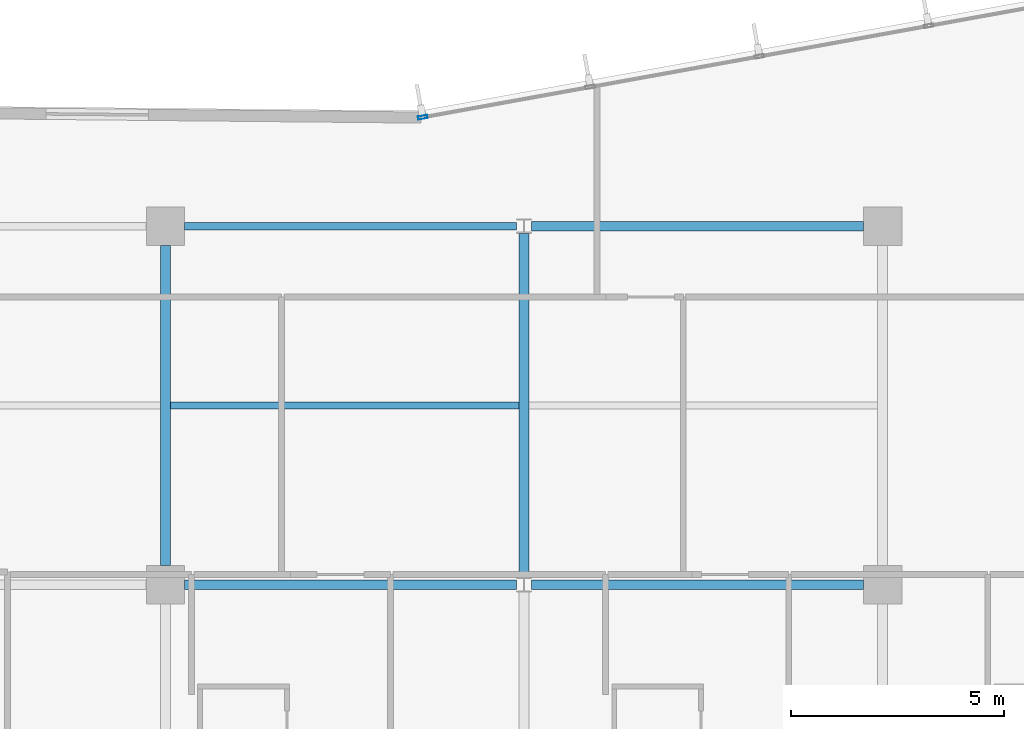
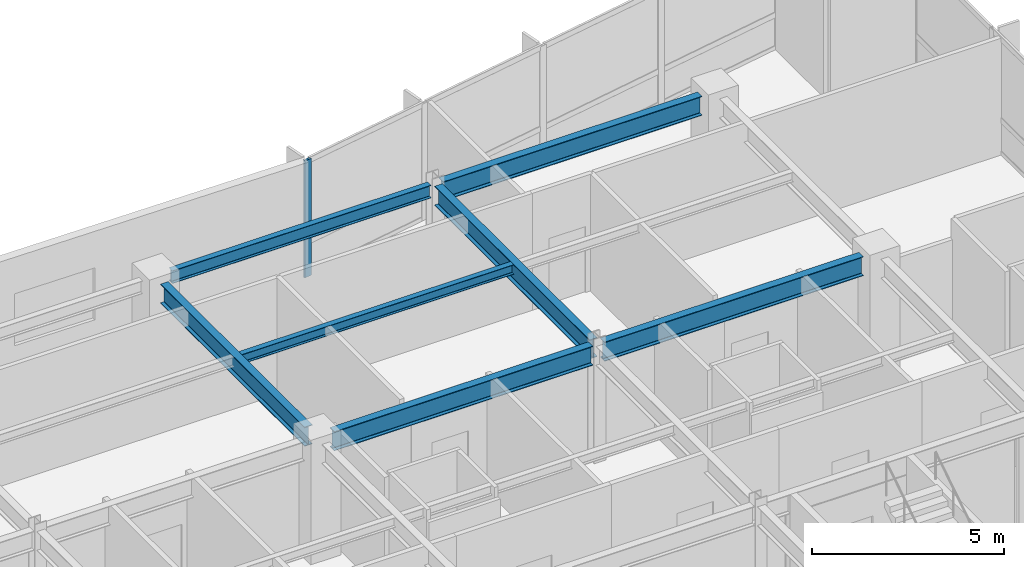
# One storey, part 6 of 20: 7 beams, 1 member, 1 element without a shape of its own.
"""IFC4 building model written with IfcOpenShell, lengths in metres."""

from ifc_helpers import new_model, si_unit, direction, frame, origin, origin_2d, place, context, subcontext, project, spatial, hollow_rectangle, i_section, extrude, material, layer, layer_set, material_profile, profile_set, type_object, element, aggregate, save


model = new_model("IFC4")

# Units and contexts
model_context = context("Model", 3, precision=1e-05, world=origin(), true_north=direction((0.0, 1.0)))
body_context = subcontext(model_context, "Body", "Model", "MODEL_VIEW")
ifc_project = project(units=[si_unit("LENGTHUNIT", "METRE"), si_unit("AREAUNIT", "SQUARE_METRE"), si_unit("VOLUMEUNIT", "CUBIC_METRE"), si_unit("PLANEANGLEUNIT", "RADIAN"), si_unit("MASSUNIT", "GRAM", prefix="KILO")], contexts=[model_context])

# Site, building, storey
site_placement = place(None, origin())
site = spatial("IfcSite", under=ifc_project, at=site_placement, CompositionType="ELEMENT")
building_placement = place(site_placement, origin())
building = spatial("IfcBuilding", under=site, at=building_placement, Name="Varnakote Quay Hospital", CompositionType="ELEMENT")
storey_placement = place(building_placement, frame((0.0, 0.0, 26.449951171875)))
storey = spatial("IfcBuildingStorey", under=building, at=storey_placement, Name="L06", CompositionType="ELEMENT", Elevation=26.449951171875)

# Beams
ifc_material_1 = material(Name="Structural steel AS/NZS 3679.1 Grade 350 L0 (fy 340 MPa)", Category="steel")
ifc_material_profile_1 = material_profile(ifc_material_1, i_section(OverallWidth=0.22900390625, OverallDepth=0.612060546875, WebThickness=0.011962890625, FlangeThickness=0.01953125, FilletRadius=0.013916015625, at=origin_2d()), Name="610UB125")
ifc_profile_set_1 = profile_set([ifc_material_profile_1], Name="Structural steel AS/NZS 3679.1 Grade 350 L0 (fy 340 MPa)")
beam_type_1 = type_object("IfcBeamType", Name="BM-STL-610UB125", PredefinedType="BEAM", material=ifc_profile_set_1)
for number, where, z_axis, x_axis, name in (
    (1, (34.050048828125, 20.39990234375, 3.404052734375), (1.0, 0.0, 0.0), (0.0, 1.0, 0.0), "L06 Primary Floor Beam"),
    (2, (42.175048828125, 20.39990234375, 3.404052734375), (1.0, 0.0, 0.0), (0.0, 1.0, 0.0), "L06 Primary Floor Beam"),
    (3, (42.175048828125, 28.800048828125, 3.404052734375), (1.0, 0.0, 0.0), (0.0, 1.0, 0.0), "L06 Primary Floor Beam"),
):
    element("IfcBeam", number, at=place(storey_placement, frame(where, z_axis=z_axis, x_axis=x_axis)), inside=storey, type_object=beam_type_1, Name=name, PredefinedType="BEAM", context=body_context, shape_type="SweptSolid", body=[
        extrude(i_section(OverallWidth=0.22900390625, OverallDepth=0.612060546875, WebThickness=0.011962890625, FlangeThickness=0.01953125, FilletRadius=0.013916015625, at=origin_2d()), origin(), (0.0, 0.0, 1.0), 7.77490234375),
    ])
beam_1_placement = place(storey_placement, frame((33.60009765625, 20.85009765625, 3.404052734375), z_axis=(0.0, 1.0, 0.0), x_axis=(-1.0, 0.0, 0.0)))
element("IfcBeam", 4, at=beam_1_placement, inside=storey, type_object=beam_type_1, Name="L06 Primary Tie Beam", PredefinedType="BEAM", context=body_context, shape_type="SweptSolid", body=[
    extrude(i_section(OverallWidth=0.22900390625, OverallDepth=0.612060546875, WebThickness=0.011962890625, FlangeThickness=0.01953125, FilletRadius=0.013916015625, at=origin_2d()), origin(), (0.0, 0.0, 1.0), 7.5),
])
beam_2_placement = place(storey_placement, frame((42.0, 20.570068359375, 3.404052734375), z_axis=(0.0, 1.0, 0.0), x_axis=(-1.0, 0.0, 0.0)))
element("IfcBeam", 5, at=beam_2_placement, inside=storey, type_object=beam_type_1, Name="L06 Primary Tie Beam", PredefinedType="BEAM", context=body_context, shape_type="SweptSolid", body=[
    extrude(i_section(OverallWidth=0.22900390625, OverallDepth=0.612060546875, WebThickness=0.011962890625, FlangeThickness=0.01953125, FilletRadius=0.013916015625, at=origin_2d()), origin(), (0.0, 0.0, 1.0), 8.059814453125),
])

# Curtain wall, member
ifc_material_2 = material(Name="Anodised aluminium 6063-T6 Bronze", Category="aluminium")
ifc_layer = layer(ifc_material_2, 0.18994140625)
ifc_layer_set = layer_set([ifc_layer], Name="Anodised aluminium 6063-T6 Bronze")
curtain_wall_type = type_object("IfcCurtainWallType", Name="CW-SYS-2", PredefinedType="NOTDEFINED", material=ifc_layer_set)
curtain_wall_placement = place(storey_placement, origin())
curtain_wall = element("IfcCurtainWall", 6, at=curtain_wall_placement, inside=storey, type_object=curtain_wall_type, Name="L06 Unitised Bronze Curtain Wall 2", PredefinedType="NOTDEFINED")
ifc_material_3 = material(Name="Anodised aluminium 6063-T6 Bronze", Category="aluminium")
ifc_material_profile_2 = material_profile(ifc_material_3, hollow_rectangle(XDim=0.074951171875, YDim=0.219970703125, WallThickness=0.00439453125, InnerFilletRadius=0.00439453125, OuterFilletRadius=0.009033203125, at=origin_2d()), Name="CW-MULL-220x75")
ifc_profile_set_2 = profile_set([ifc_material_profile_2], Name="Anodised aluminium 6063-T6 Bronze")
member_type = type_object("IfcMemberType", Name="CW-MULL-220x75", PredefinedType="MULLION", material=ifc_profile_set_2)
member_placement = place(storey_placement, frame((39.62646484375, 31.3505859375, 0.0), z_axis=(0.0, 0.0, 1.0), x_axis=(0.177846199098, -0.984058295766, 0.0)))
member = element("IfcMember", 7, at=member_placement, type_object=member_type, Name="-2-L06-2 mullion 5", PredefinedType="MULLION", context=body_context, shape_type="SweptSolid", body=[
    extrude(hollow_rectangle(XDim=0.074951171875, YDim=0.219970703125, WallThickness=0.00439453125, InnerFilletRadius=0.00439453125, OuterFilletRadius=0.009033203125, at=origin_2d()), origin(), (0.0, 0.0, 1.0), 3.7099609375),
])
aggregate(curtain_wall, [member])

# Beams
ifc_material_4 = material(Name="Structural steel AS/NZS 3679.1 Grade 350 L0 (fy 340 MPa)", Category="steel")
ifc_material_profile_3 = material_profile(ifc_material_4, i_section(OverallWidth=0.166015625, OverallDepth=0.306884765625, WebThickness=0.006591796875, FlangeThickness=0.01171875, FilletRadius=0.011474609375, at=origin_2d()), Name="310UB46.2")
ifc_profile_set_3 = profile_set([ifc_material_profile_3], Name="Structural steel AS/NZS 3679.1 Grade 350 L0 (fy 340 MPa)")
beam_type_2 = type_object("IfcBeamType", Name="JST-STL-310UB46-2", PredefinedType="JOIST", material=ifc_profile_set_3)
beam_3_placement = place(storey_placement, frame((33.714599609375, 24.60009765625, 3.556640625), z_axis=(1.0, 0.0, 0.0), x_axis=(0.0, 1.0, 0.0)))
element("IfcBeam", 8, at=beam_3_placement, inside=storey, type_object=beam_type_2, Name="L06 Composite Floor Joist", PredefinedType="JOIST", context=body_context, shape_type="SweptSolid", body=[
    extrude(i_section(OverallWidth=0.166015625, OverallDepth=0.306884765625, WebThickness=0.006591796875, FlangeThickness=0.01171875, FilletRadius=0.011474609375, at=origin_2d()), origin(), (0.0, 0.0, 1.0), 8.1708984375),
])
ifc_material_5 = material(Name="Structural steel AS/NZS 3679.1 Grade 350 L0 (fy 340 MPa)", Category="steel")
ifc_material_profile_4 = material_profile(ifc_material_5, i_section(OverallWidth=0.177978515625, OverallDepth=0.406005859375, WebThickness=0.0078125, FlangeThickness=0.0126953125, FilletRadius=0.011474609375, at=origin_2d()), Name="410UB59.7")
ifc_profile_set_4 = profile_set([ifc_material_profile_4], Name="Structural steel AS/NZS 3679.1 Grade 350 L0 (fy 340 MPa)")
beam_type_3 = type_object("IfcBeamType", Name="SPN-STL-410UB59-7", PredefinedType="SPANDREL", material=ifc_profile_set_4)
beam_4_placement = place(storey_placement, frame((34.050048828125, 28.800048828125, 3.507080078125), z_axis=(1.0, 0.0, 0.0), x_axis=(0.0, 1.0, 0.0)))
element("IfcBeam", 9, at=beam_4_placement, inside=storey, type_object=beam_type_3, Name="L06 Perimeter Spandrel Beam", PredefinedType="SPANDREL", context=body_context, shape_type="SweptSolid", body=[
    extrude(i_section(OverallWidth=0.177978515625, OverallDepth=0.406005859375, WebThickness=0.0078125, FlangeThickness=0.0126953125, FilletRadius=0.011474609375, at=origin_2d()), origin(), (0.0, 0.0, 1.0), 7.77490234375),
])

save(model, "model.ifc")
